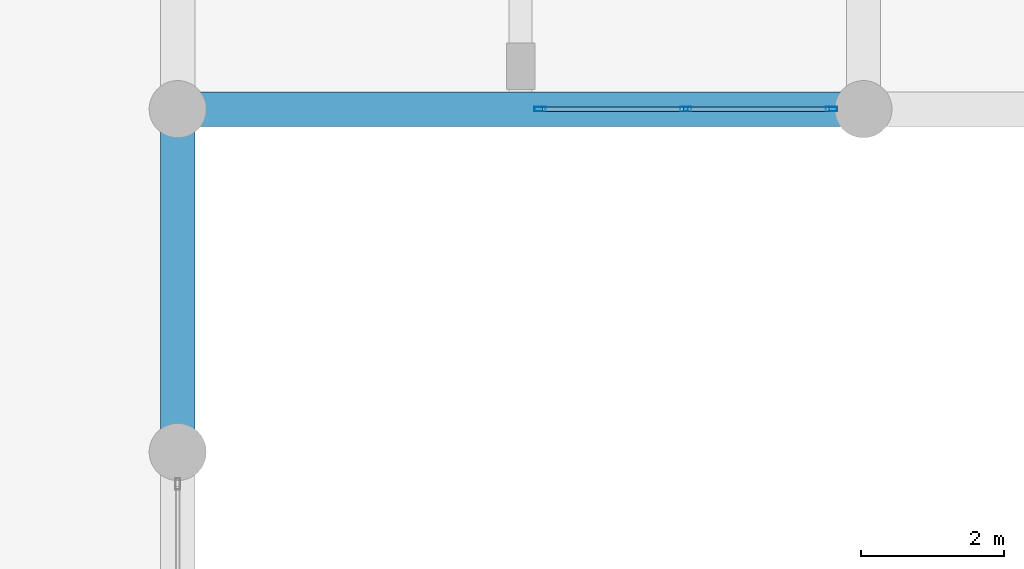
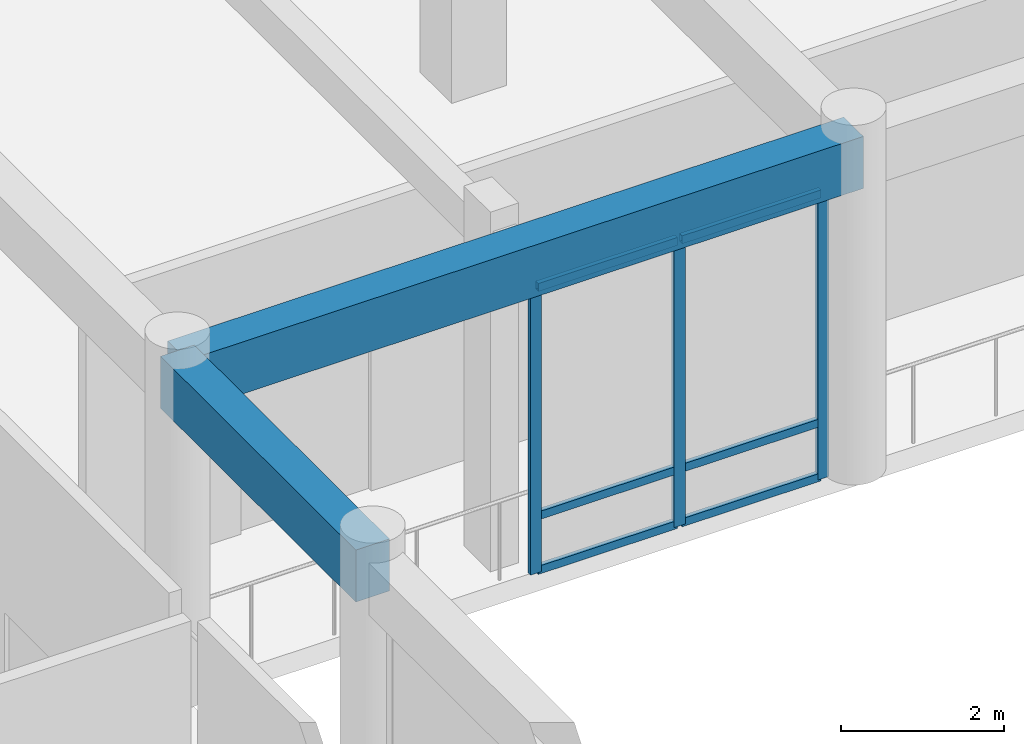
# One storey, part 39 of 134: 9 members, 2 beams, 1 element without a shape of its own.
"""IFC4 building model written with IfcOpenShell, lengths in metres."""

from ifc_helpers import new_model, si_unit, direction, frame, origin, origin_2d, place, context, subcontext, project, spatial, rectangle, hollow_rectangle, extrude, material, layer, layer_set, material_profile, profile_set, type_object, element, aggregate, save


model = new_model("IFC4")

# Units and contexts
model_context = context("Model", 3, precision=1e-05, world=origin(), true_north=direction((0.0, 1.0)))
body_context = subcontext(model_context, "Body", "Model", "MODEL_VIEW")
ifc_project = project(units=[si_unit("LENGTHUNIT", "METRE"), si_unit("AREAUNIT", "SQUARE_METRE"), si_unit("VOLUMEUNIT", "CUBIC_METRE"), si_unit("PLANEANGLEUNIT", "RADIAN"), si_unit("MASSUNIT", "GRAM", prefix="KILO")], contexts=[model_context])

# Site, building, storey
site_placement = place(None, origin())
site = spatial("IfcSite", under=ifc_project, at=site_placement, CompositionType="ELEMENT")
building_placement = place(site_placement, origin())
building = spatial("IfcBuilding", under=site, at=building_placement, Name="Nakhvara Creek Congress Hotel", CompositionType="ELEMENT")
storey_placement = place(building_placement, frame((0.0, 0.0, 6.0)))
storey = spatial("IfcBuildingStorey", under=building, at=storey_placement, Name="L01", CompositionType="ELEMENT", Elevation=6.0)

# Beams
ifc_material_1 = material(Name="Concrete C40/50", Category="concrete")
ifc_material_profile_1 = material_profile(ifc_material_1, rectangle(XDim=0.47998046875, YDim=0.780029296875, at=origin_2d()), Name="RC-BM 480x780", Category="LoadBearing")
ifc_profile_set_1 = profile_set([ifc_material_profile_1], Name="Concrete C40/50")
beam_type = type_object("IfcBeamType", Name="BM-RC-480X780", PredefinedType="BEAM", material=ifc_profile_set_1)
beam_1_placement = place(storey_placement, frame((76.800048828125, 72.0, 4.7099609375), z_axis=(0.0, 1.0, 0.0), x_axis=(-1.0, 0.0, 0.0)))
element("IfcBeam", 1, at=beam_1_placement, inside=storey, type_object=beam_type, Name="Beam B13-L01-1158", PredefinedType="BEAM", context=body_context, shape_type="SweptSolid", body=[
    extrude(rectangle(XDim=0.47998046875, YDim=0.780029296875, at=origin_2d()), origin(), (0.0, 0.0, 1.0), 4.800048828125),
])
beam_2_placement = place(storey_placement, frame((76.800048828125, 76.800048828125, 4.7099609375), z_axis=(1.0, 0.0, 0.0), x_axis=(0.0, 1.0, 0.0)))
element("IfcBeam", 2, at=beam_2_placement, inside=storey, type_object=beam_type, Name="Beam B13-L01-1160", PredefinedType="BEAM", context=body_context, shape_type="SweptSolid", body=[
    extrude(rectangle(XDim=0.47998046875, YDim=0.780029296875, at=origin_2d()), origin(), (0.0, 0.0, 1.0), 9.599853515625),
])

# Curtain wall, members
ifc_material_2 = material(Name="Bronze-anodised aluminium AW-6063-T6 and double-silver low-E glass", Category="aluminium")
ifc_layer = layer(ifc_material_2, 0.199951171875)
ifc_layer_set = layer_set([ifc_layer], Name="Bronze-anodised aluminium AW-6063-T6 and double-silver low-E glass")
curtain_wall_type = type_object("IfcCurtainWallType", Name="CW-POD-STICK", PredefinedType="NOTDEFINED", material=ifc_layer_set)
curtain_wall_placement = place(storey_placement, origin())
curtain_wall = element("IfcCurtainWall", 3, at=curtain_wall_placement, inside=storey, type_object=curtain_wall_type, Name="Curtain Wall CW018", PredefinedType="NOTDEFINED")
ifc_material_3 = material(Name="Bronze-anodised aluminium AW-6063-T6", Category="aluminium")
ifc_material_profile_2 = material_profile(ifc_material_3, hollow_rectangle(XDim=0.06494140625, YDim=0.159912109375, WallThickness=0.00390625, at=origin_2d()), Name="ALU-MULL 65x160x4", Category="LoadBearing")
ifc_profile_set_2 = profile_set([ifc_material_profile_2], Name="Bronze-anodised aluminium AW-6063-T6")
member_type_1 = type_object("IfcMemberType", Name="CW-MULL-160", PredefinedType="MULLION", material=ifc_profile_set_2)
member_1_placement = place(storey_placement, frame((85.952392578125, 76.800048828125, 0.0), z_axis=(0.0, 0.0, 1.0), x_axis=(0.0, -1.0, 0.0)))
member_1 = element("IfcMember", 4, at=member_1_placement, type_object=member_type_1, Name="CW018 mullion 1", PredefinedType="MULLION", context=body_context, shape_type="SweptSolid", body=[
    extrude(hollow_rectangle(XDim=0.06494140625, YDim=0.159912109375, WallThickness=0.00390625, at=origin_2d()), origin(), (0.0, 0.0, 1.0), 4.31201171875),
])
member_2_placement = place(storey_placement, frame((83.91259765625, 76.800048828125, 0.0), z_axis=(0.0, 0.0, 1.0), x_axis=(0.0, -1.0, 0.0)))
member_2 = element("IfcMember", 5, at=member_2_placement, type_object=member_type_1, Name="CW018 mullion 2", PredefinedType="MULLION", context=body_context, shape_type="SweptSolid", body=[
    extrude(hollow_rectangle(XDim=0.06494140625, YDim=0.159912109375, WallThickness=0.00390625, at=origin_2d()), origin(), (0.0, 0.0, 1.0), 4.31201171875),
])
member_3_placement = place(storey_placement, frame((81.87255859375, 76.800048828125, 0.0), z_axis=(0.0, 0.0, 1.0), x_axis=(0.0, -1.0, 0.0)))
member_3 = element("IfcMember", 6, at=member_3_placement, type_object=member_type_1, Name="CW018 mullion 3", PredefinedType="MULLION", context=body_context, shape_type="SweptSolid", body=[
    extrude(hollow_rectangle(XDim=0.06494140625, YDim=0.159912109375, WallThickness=0.00390625, at=origin_2d()), origin(), (0.0, 0.0, 1.0), 4.31201171875),
])
ifc_material_profile_3 = material_profile(ifc_material_3, hollow_rectangle(XDim=0.06494140625, YDim=0.1201171875, WallThickness=0.00390625, at=origin_2d()), Name="ALU-TRAN 65x120x4", Category="LoadBearing")
ifc_profile_set_3 = profile_set([ifc_material_profile_3], Name="Bronze-anodised aluminium AW-6063-T6")
member_type_2 = type_object("IfcMemberType", Name="CW-TRAN-120", PredefinedType="USERDEFINED", material=ifc_profile_set_3)
member_4_placement = place(storey_placement, frame((85.919921875, 76.800048828125, 0.032470703125), z_axis=(-1.0, 0.0, 0.0), x_axis=(0.0, -1.0, 0.0)))
member_4 = element("IfcMember", 7, at=member_4_placement, type_object=member_type_2, Name="CW018 transom 1.1", ObjectType="TRANSOM", PredefinedType="USERDEFINED", context=body_context, shape_type="SweptSolid", body=[
    extrude(hollow_rectangle(XDim=0.06494140625, YDim=0.1201171875, WallThickness=0.00390625, at=origin_2d()), origin(), (0.0, 0.0, 1.0), 1.974853515625),
])
member_5_placement = place(storey_placement, frame((85.919921875, 76.800048828125, 0.85009765625), z_axis=(-1.0, 0.0, 0.0), x_axis=(0.0, -1.0, 0.0)))
member_5 = element("IfcMember", 8, at=member_5_placement, type_object=member_type_2, Name="CW018 transom 1.2", ObjectType="TRANSOM", PredefinedType="USERDEFINED", context=body_context, shape_type="SweptSolid", body=[
    extrude(hollow_rectangle(XDim=0.06494140625, YDim=0.1201171875, WallThickness=0.00390625, at=origin_2d()), origin(), (0.0, 0.0, 1.0), 1.974853515625),
])
member_6_placement = place(storey_placement, frame((85.919921875, 76.800048828125, 4.279541015625), z_axis=(-1.0, 0.0, 0.0), x_axis=(0.0, -1.0, 0.0)))
member_6 = element("IfcMember", 9, at=member_6_placement, type_object=member_type_2, Name="CW018 transom 1.3", ObjectType="TRANSOM", PredefinedType="USERDEFINED", context=body_context, shape_type="SweptSolid", body=[
    extrude(hollow_rectangle(XDim=0.06494140625, YDim=0.1201171875, WallThickness=0.00390625, at=origin_2d()), origin(), (0.0, 0.0, 1.0), 1.974853515625),
])
member_7_placement = place(storey_placement, frame((83.8798828125, 76.800048828125, 0.032470703125), z_axis=(-1.0, 0.0, 0.0), x_axis=(0.0, -1.0, 0.0)))
member_7 = element("IfcMember", 10, at=member_7_placement, type_object=member_type_2, Name="CW018 transom 2.1", ObjectType="TRANSOM", PredefinedType="USERDEFINED", context=body_context, shape_type="SweptSolid", body=[
    extrude(hollow_rectangle(XDim=0.06494140625, YDim=0.1201171875, WallThickness=0.00390625, at=origin_2d()), origin(), (0.0, 0.0, 1.0), 1.974853515625),
])
member_8_placement = place(storey_placement, frame((83.8798828125, 76.800048828125, 0.85009765625), z_axis=(-1.0, 0.0, 0.0), x_axis=(0.0, -1.0, 0.0)))
member_8 = element("IfcMember", 11, at=member_8_placement, type_object=member_type_2, Name="CW018 transom 2.2", ObjectType="TRANSOM", PredefinedType="USERDEFINED", context=body_context, shape_type="SweptSolid", body=[
    extrude(hollow_rectangle(XDim=0.06494140625, YDim=0.1201171875, WallThickness=0.00390625, at=origin_2d()), origin(), (0.0, 0.0, 1.0), 1.974853515625),
])
member_9_placement = place(storey_placement, frame((83.8798828125, 76.800048828125, 4.279541015625), z_axis=(-1.0, 0.0, 0.0), x_axis=(0.0, -1.0, 0.0)))
member_9 = element("IfcMember", 12, at=member_9_placement, type_object=member_type_2, Name="CW018 transom 2.3", ObjectType="TRANSOM", PredefinedType="USERDEFINED", context=body_context, shape_type="SweptSolid", body=[
    extrude(hollow_rectangle(XDim=0.06494140625, YDim=0.1201171875, WallThickness=0.00390625, at=origin_2d()), origin(), (0.0, 0.0, 1.0), 1.974853515625),
])
aggregate(curtain_wall, [member_1, member_2, member_3, member_4, member_5, member_6, member_7, member_8, member_9])

save(model, "model.ifc")
